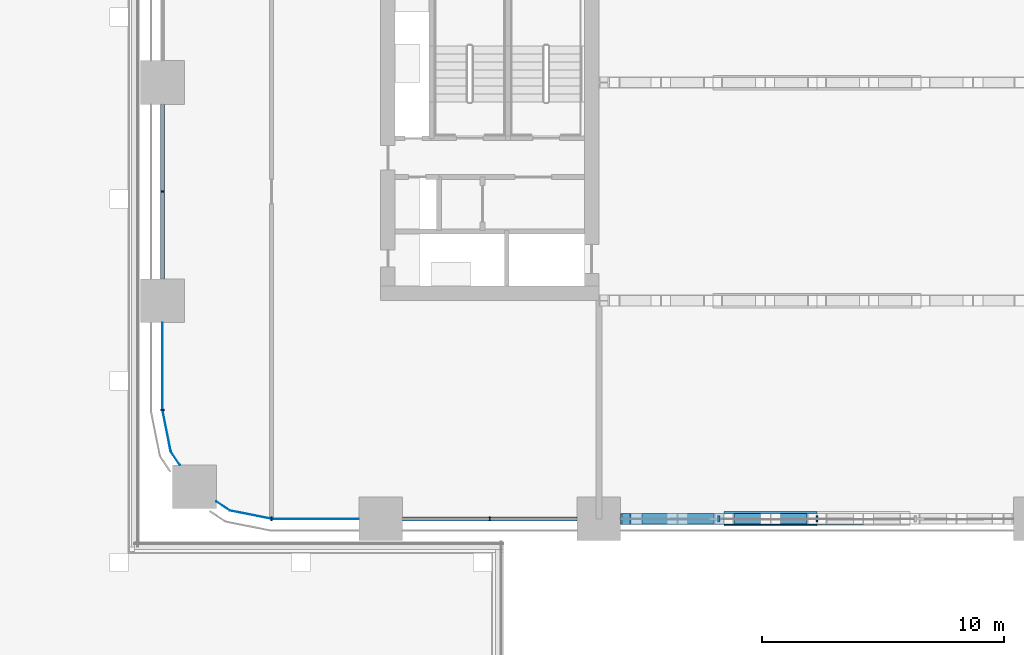
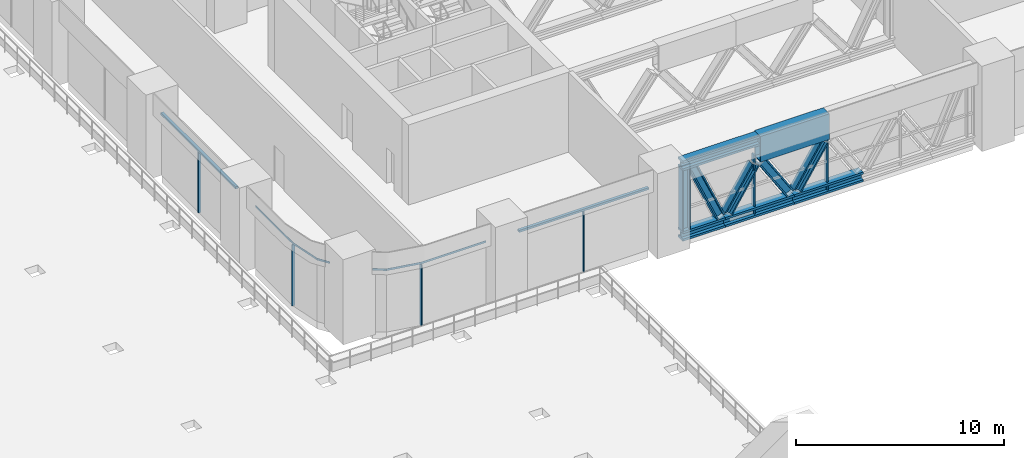
# One storey, part 2 of 35: 20 members, 5 elements without a shape of their own.
"""IFC4 building model written with IfcOpenShell, lengths in metres."""

from ifc_helpers import new_model, si_unit, direction, frame, origin, origin_2d, place, context, subcontext, project, spatial, polyline, rectangle, hollow_rectangle, i_section, outline, extrude, material, material_profile, profile_set, type_object, element, aggregate, save


model = new_model("IFC4")

# Units and contexts
model_context = context("Model", 3, precision=1e-05, world=origin(), true_north=direction((0.0, 1.0)))
body_context = subcontext(model_context, "Body", "Model", "MODEL_VIEW")
ifc_project = project(units=[si_unit("LENGTHUNIT", "METRE"), si_unit("AREAUNIT", "SQUARE_METRE"), si_unit("VOLUMEUNIT", "CUBIC_METRE"), si_unit("PLANEANGLEUNIT", "RADIAN"), si_unit("MASSUNIT", "GRAM", prefix="KILO")], contexts=[model_context])

# Site, building, storey
site_placement = place(None, origin())
site = spatial("IfcSite", under=ifc_project, at=site_placement, CompositionType="ELEMENT")
building_placement = place(site_placement, origin())
building = spatial("IfcBuilding", under=site, at=building_placement, Name="Tessera Arch", CompositionType="ELEMENT")
storey_placement = place(building_placement, frame((0.0, 0.0, 26.0)))
storey = spatial("IfcBuildingStorey", under=building, at=storey_placement, Name="L04", CompositionType="ELEMENT", Elevation=26.0)

# Curtain wall, members
ifc_material_1 = material(Name="CW4 curtain wall")
curtain_wall_type_1 = type_object("IfcCurtainWallType", Name="CW4 curtain wall", PredefinedType="NOTDEFINED", material=ifc_material_1)
curtain_wall_1_placement = place(storey_placement, origin())
curtain_wall_1 = element("IfcCurtainWall", 1, at=curtain_wall_1_placement, inside=storey, type_object=curtain_wall_type_1, Name="CW4 curtain wall S0.0/1 L04", PredefinedType="NOTDEFINED")
ifc_material_2 = material(Name="Anodised aluminium pale metal", Category="aluminium")
ifc_material_profile_1 = material_profile(ifc_material_2, rectangle(XDim=0.25, YDim=0.080078125, at=origin_2d()), Name="AL 80x250")
ifc_profile_set_1 = profile_set([ifc_material_profile_1], Name="Anodised aluminium pale metal")
member_type_1 = type_object("IfcMemberType", Name="CW4 mullion", PredefinedType="MULLION", material=ifc_profile_set_1)
member_1_placement = place(storey_placement, frame((22.949951171875, 0.0, 0.0), z_axis=(0.0, 0.0, 1.0), x_axis=(0.0, 1.0, 0.0)))
member_1 = element("IfcMember", 2, at=member_1_placement, type_object=member_type_1, Name="CW4 mullion S0.0/1 1", PredefinedType="MULLION", context=body_context, shape_type="SweptSolid", body=[
    extrude(rectangle(XDim=0.25, YDim=0.080078125, at=origin_2d()), origin(), (0.0, 0.0, 1.0), 3.580078125),
])
member_2_placement = place(storey_placement, frame((27.0, 0.0, 0.0), z_axis=(0.0, 0.0, 1.0), x_axis=(0.0, 1.0, 0.0)))
member_2 = element("IfcMember", 3, at=member_2_placement, type_object=member_type_1, Name="CW4 mullion S0.0/1 2", PredefinedType="MULLION", context=body_context, shape_type="SweptSolid", body=[
    extrude(rectangle(XDim=0.25, YDim=0.080078125, at=origin_2d()), origin(), (0.0, 0.0, 1.0), 3.580078125),
])
aggregate(curtain_wall_1, [member_1, member_2])

# Curtain wall, member
ifc_material_3 = material(Name="CW7 curtain wall")
curtain_wall_type_2 = type_object("IfcCurtainWallType", Name="CW7 curtain wall", PredefinedType="NOTDEFINED", material=ifc_material_3)
curtain_wall_2_placement = place(storey_placement, origin())
curtain_wall_2 = element("IfcCurtainWall", 4, at=curtain_wall_2_placement, inside=storey, type_object=curtain_wall_type_2, Name="CW7 curtain wall S0.0/0 L04", PredefinedType="NOTDEFINED")
ifc_material_4 = material(Name="Anodised aluminium pale metal", Category="aluminium")
ifc_material_profile_2 = material_profile(ifc_material_4, rectangle(XDim=0.159912109375, YDim=0.06005859375, at=origin_2d()), Name="AL 60x160")
ifc_profile_set_2 = profile_set([ifc_material_profile_2], Name="Anodised aluminium pale metal")
member_type_2 = type_object("IfcMemberType", Name="CW7 mullion", PredefinedType="MULLION", material=ifc_profile_set_2)
member_3_placement = place(storey_placement, frame((13.5, 0.0, 0.0), z_axis=(0.0, 0.0, 1.0), x_axis=(0.0, 1.0, 0.0)))
member_3 = element("IfcMember", 5, at=member_3_placement, type_object=member_type_2, Name="CW7 mullion S0.0/0 1", PredefinedType="MULLION", context=body_context, shape_type="SweptSolid", body=[
    extrude(rectangle(XDim=0.159912109375, YDim=0.06005859375, at=origin_2d()), origin(), (0.0, 0.0, 1.0), 3.580078125),
])

curtain_wall_3_placement = place(storey_placement, origin())
curtain_wall_3 = element("IfcCurtainWall", 6, at=curtain_wall_3_placement, inside=storey, type_object=curtain_wall_type_2, Name="CW7 curtain wall W0.0/4 L04", PredefinedType="NOTDEFINED")
member_4_placement = place(storey_placement, frame((0.0, 13.5, 0.0), z_axis=(0.0, 0.0, 1.0), x_axis=(1.0, 0.0, 0.0)))
member_4 = element("IfcMember", 7, at=member_4_placement, type_object=member_type_2, Name="CW7 mullion W0.0/4 1", PredefinedType="MULLION", context=body_context, shape_type="SweptSolid", body=[
    extrude(rectangle(XDim=0.159912109375, YDim=0.06005859375, at=origin_2d()), origin(), (0.0, 0.0, 1.0), 3.580078125),
])

curtain_wall_4_placement = place(storey_placement, origin())
curtain_wall_4 = element("IfcCurtainWall", 8, at=curtain_wall_4_placement, inside=storey, type_object=curtain_wall_type_2, Name="CW7 curtain wall W0.0/5 L04", PredefinedType="NOTDEFINED")
member_5_placement = place(storey_placement, frame((0.0, 4.5, 0.0), z_axis=(0.0, 0.0, 1.0), x_axis=(1.0, 0.0, 0.0)))
member_5 = element("IfcMember", 9, at=member_5_placement, type_object=member_type_2, Name="CW7 mullion W0.0/5 1", PredefinedType="MULLION", context=body_context, shape_type="SweptSolid", body=[
    extrude(rectangle(XDim=0.159912109375, YDim=0.06005859375, at=origin_2d()), origin(), (0.0, 0.0, 1.0), 3.580078125),
])

curtain_wall_5_placement = place(storey_placement, origin())
curtain_wall_5 = element("IfcCurtainWall", 10, at=curtain_wall_5_placement, inside=storey, type_object=curtain_wall_type_2, Name="CW7 curtain wall S0.0/4 L04", PredefinedType="NOTDEFINED")
member_6_placement = place(storey_placement, frame((4.5, 0.0, 0.0), z_axis=(0.0, 0.0, 1.0), x_axis=(0.0, 1.0, 0.0)))
member_6 = element("IfcMember", 11, at=member_6_placement, type_object=member_type_2, Name="CW7 mullion S0.0/4 1", PredefinedType="MULLION", context=body_context, shape_type="SweptSolid", body=[
    extrude(rectangle(XDim=0.159912109375, YDim=0.06005859375, at=origin_2d()), origin(), (0.0, 0.0, 1.0), 3.580078125),
])

# Member
ifc_material_5 = material(Name="Anodised aluminium pale metal", Category="aluminium")
ifc_material_profile_3 = material_profile(ifc_material_5, rectangle(XDim=0.159912109375, YDim=0.1201171875, at=origin_2d()), Name="AL 160x120")
ifc_profile_set_3 = profile_set([ifc_material_profile_3], Name="Anodised aluminium pale metal")
member_type_3 = type_object("IfcMemberType", Name="CW7 transom", PredefinedType="USERDEFINED", material=ifc_profile_set_3)
member_7_placement = place(storey_placement, frame((9.89990234375, 0.0, 3.639892578125), z_axis=(1.0, 0.0, 0.0), x_axis=(0.0, 1.0, 0.0)))
member_7 = element("IfcMember", 12, at=member_7_placement, type_object=member_type_3, Name="CW7 transom S0.0/0 1.1", ObjectType="TRANSOM", PredefinedType="USERDEFINED", context=body_context, shape_type="SweptSolid", body=[
    extrude(rectangle(XDim=0.159912109375, YDim=0.1201171875, at=origin_2d()), origin(), (0.0, 0.0, 1.0), 7.2001953125),
])

aggregate(curtain_wall_2, [member_3, member_7])

member_8_placement = place(storey_placement, frame((0.0, 17.10009765625, 3.639892578125), z_axis=(0.0, -1.0, 0.0), x_axis=(1.0, 0.0, 0.0)))
member_8 = element("IfcMember", 13, at=member_8_placement, type_object=member_type_3, Name="CW7 transom W0.0/4 1.1", ObjectType="TRANSOM", PredefinedType="USERDEFINED", context=body_context, shape_type="SweptSolid", body=[
    extrude(rectangle(XDim=0.159912109375, YDim=0.1201171875, at=origin_2d()), origin(), (0.0, 0.0, 1.0), 7.2001953125),
])

aggregate(curtain_wall_3, [member_4, member_8])

member_9_placement = place(storey_placement, frame((0.0, 0.0, 3.580078125)))
member_9 = element("IfcMember", 14, at=member_9_placement, type_object=member_type_3, Name="CW7 transom W0.0/5 1", ObjectType="TRANSOM", PredefinedType="USERDEFINED", context=body_context, shape_type="SweptSolid", body=[
    extrude(outline(polyline([(0.010009765625, 4.5009765625), (0.010009765625, 8.10009765625), (-0.010009765625, 8.10009765625), (-0.010009765625, 4.4990234375), (0.3330078125, 2.77392578125), (0.70849609375, 2.21240234375), (0.72509765625, 2.2236328125), (0.351806640625, 2.78173828125), (0.010009765625, 4.5009765625)])), origin(), (0.0, 0.0, 1.0), 0.119873046875),
])

aggregate(curtain_wall_4, [member_5, member_9])

member_10_placement = place(storey_placement, frame((0.0, 0.0, 3.580078125)))
member_10 = element("IfcMember", 15, at=member_10_placement, type_object=member_type_3, Name="CW7 transom S0.0/4 1", ObjectType="TRANSOM", PredefinedType="USERDEFINED", context=body_context, shape_type="SweptSolid", body=[
    extrude(outline(polyline([(2.78173828125, 0.351806640625), (2.2236328125, 0.72509765625), (2.21240234375, 0.70849609375), (2.77392578125, 0.3330078125), (4.4990234375, -0.010009765625), (8.10009765625, -0.010009765625), (8.10009765625, 0.010009765625), (4.5009765625, 0.010009765625), (2.78173828125, 0.351806640625)])), origin(), (0.0, 0.0, 1.0), 0.119873046875),
])

aggregate(curtain_wall_5, [member_6, member_10])

# Members
ifc_material_6 = material(Name="Steel A572 Gr50", Category="steel")
ifc_material_profile_4 = material_profile(ifc_material_6, hollow_rectangle(XDim=0.60009765625, YDim=1.5, WallThickness=0.06005859375, at=origin_2d()), Name="BOX 600x1500x60")
ifc_profile_set_4 = profile_set([ifc_material_profile_4], Name="Steel A572 Gr50")
member_type_4 = type_object("IfcMemberType", Name="Transfer truss node girder BOX 600x1500x60", PredefinedType="CHORD", material=ifc_profile_set_4)
member_11_placement = place(storey_placement, frame((23.167236328125, 0.0, 3.949951171875), z_axis=(1.0, 0.0, 0.0), x_axis=(0.0, 1.0, 0.0)))
element("IfcMember", 16, at=member_11_placement, inside=storey, type_object=member_type_4, Name="Transfer truss node girder 2", PredefinedType="CHORD", context=body_context, shape_type="SweptSolid", body=[
    extrude(hollow_rectangle(XDim=0.60009765625, YDim=1.5, WallThickness=0.06005859375, at=origin_2d()), origin(), (0.0, 0.0, 1.0), 3.832763671875),
])
ifc_material_7 = material(Name="Steel A992 Gr50", Category="steel")
ifc_material_profile_5 = material_profile(ifc_material_7, i_section(OverallWidth=0.45458984375, OverallDepth=0.56884765625, WebThickness=0.077880859375, FlangeThickness=0.124755859375, at=origin_2d()), Name="W14x730")
ifc_profile_set_5 = profile_set([ifc_material_profile_5], Name="Steel A992 Gr50")
member_type_5 = type_object("IfcMemberType", Name="Truss chord W14x730", PredefinedType="CHORD", material=ifc_profile_set_5)
member_12_placement = place(storey_placement, frame((18.900146484375, 0.0, 4.41552734375), z_axis=(1.0, 0.0, 0.0), x_axis=(0.0, 1.0, 0.0)))
element("IfcMember", 17, at=member_12_placement, inside=storey, type_object=member_type_5, Name="Transfer truss top chord 1", PredefinedType="CHORD", context=body_context, shape_type="SweptSolid", body=[
    extrude(i_section(OverallWidth=0.45458984375, OverallDepth=0.56884765625, WebThickness=0.077880859375, FlangeThickness=0.124755859375, at=origin_2d()), origin(), (0.0, 0.0, 1.0), 4.26708984375),
])
member_13_placement = place(storey_placement, frame((18.900146484375, 0.0, 0.284423828125), z_axis=(1.0, 0.0, 0.0), x_axis=(0.0, 1.0, 0.0)))
element("IfcMember", 18, at=member_13_placement, inside=storey, type_object=member_type_5, Name="Transfer truss bottom chord 1", PredefinedType="CHORD", context=body_context, shape_type="SweptSolid", body=[
    extrude(i_section(OverallWidth=0.45458984375, OverallDepth=0.56884765625, WebThickness=0.077880859375, FlangeThickness=0.124755859375, at=origin_2d()), origin(), (0.0, 0.0, 1.0), 2.3505859375),
])
member_14_placement = place(storey_placement, frame((21.250732421875, 0.0, 0.284423828125), z_axis=(1.0, 0.0, 0.0), x_axis=(0.0, 1.0, 0.0)))
element("IfcMember", 19, at=member_14_placement, inside=storey, type_object=member_type_5, Name="Transfer truss bottom chord 2", PredefinedType="CHORD", context=body_context, shape_type="SweptSolid", body=[
    extrude(i_section(OverallWidth=0.45458984375, OverallDepth=0.56884765625, WebThickness=0.077880859375, FlangeThickness=0.124755859375, at=origin_2d()), origin(), (0.0, 0.0, 1.0), 3.832763671875),
])
member_15_placement = place(storey_placement, frame((25.08349609375, 0.0, 0.284423828125), z_axis=(1.0, 0.0, 0.0), x_axis=(0.0, 1.0, 0.0)))
element("IfcMember", 20, at=member_15_placement, inside=storey, type_object=member_type_5, Name="Transfer truss bottom chord 3", PredefinedType="CHORD", context=body_context, shape_type="SweptSolid", body=[
    extrude(i_section(OverallWidth=0.45458984375, OverallDepth=0.56884765625, WebThickness=0.077880859375, FlangeThickness=0.124755859375, at=origin_2d()), origin(), (0.0, 0.0, 1.0), 3.8330078125),
])
ifc_material_8 = material(Name="Steel A992 Gr50", Category="steel")
ifc_material_profile_6 = material_profile(ifc_material_8, i_section(OverallWidth=0.424072265625, OverallDepth=0.47412109375, WebThickness=0.047607421875, FlangeThickness=0.0771484375, at=origin_2d()), Name="W14x426")
ifc_profile_set_6 = profile_set([ifc_material_profile_6], Name="Steel A992 Gr50")
member_type_6 = type_object("IfcMemberType", Name="Truss diagonal W14x426", PredefinedType="BRACE", material=ifc_profile_set_6)
member_16_placement = place(storey_placement, frame((19.558837890625, 0.0, 4.01904296875), z_axis=(0.402507504904, 0.0, -0.915416685721), x_axis=(0.0, 1.0, 0.0)))
element("IfcMember", 21, at=member_16_placement, inside=storey, type_object=member_type_6, Name="Transfer truss diagonal 1", PredefinedType="BRACE", context=body_context, shape_type="SweptSolid", body=[
    extrude(i_section(OverallWidth=0.424072265625, OverallDepth=0.47412109375, WebThickness=0.047607421875, FlangeThickness=0.0771484375, at=origin_2d()), origin(), (0.0, 0.0, 1.0), 3.646484375),
])
for number, where, z_axis, x_axis, name in (
    (22, (21.46044921875, 0.0, 0.711669921875), (0.538089832254, 0.0, 0.842887496897), (0.0, 1.0, 0.0), "Transfer truss diagonal 2"),
    (23, (23.376708984375, 0.0, 3.05712890625), (0.538089832254, 0.0, -0.842887496897), (0.0, 1.0, 0.0), "Transfer truss diagonal 3"),
    (24, (25.293212890625, 0.0, 0.711669921875), (0.538089832254, 0.0, 0.842887496897), (0.0, 1.0, 0.0), "Transfer truss diagonal 4"),
):
    element("IfcMember", number, at=place(storey_placement, frame(where, z_axis=z_axis, x_axis=x_axis)), inside=storey, type_object=member_type_6, Name=name, PredefinedType="BRACE", context=body_context, shape_type="SweptSolid", body=[
        extrude(i_section(OverallWidth=0.424072265625, OverallDepth=0.47412109375, WebThickness=0.047607421875, FlangeThickness=0.0771484375, at=origin_2d()), origin(), (0.0, 0.0, 1.0), 2.78271484375),
    ])
ifc_material_9 = material(Name="Steel A992 Gr50", Category="steel")
ifc_material_profile_7 = material_profile(ifc_material_9, i_section(OverallWidth=0.411376953125, OverallDepth=0.434326171875, WebThickness=0.035888671875, FlangeThickness=0.057373046875, at=origin_2d()), Name="W14x311")
ifc_profile_set_7 = profile_set([ifc_material_profile_7], Name="Steel A992 Gr50")
member_type_7 = type_object("IfcMemberType", Name="Truss post W14x311", PredefinedType="POST", material=ifc_profile_set_7)
member_17_placement = place(storey_placement, frame((19.1171875, 0.0, 0.56884765625), z_axis=(0.0, 0.0, 1.0), x_axis=(0.0, 1.0, 0.0)))
element("IfcMember", 25, at=member_17_placement, inside=storey, type_object=member_type_7, Name="Transfer truss end post 1", PredefinedType="POST", context=body_context, shape_type="SweptSolid", body=[
    extrude(i_section(OverallWidth=0.411376953125, OverallDepth=0.434326171875, WebThickness=0.035888671875, FlangeThickness=0.057373046875, at=origin_2d()), origin(), (0.0, 0.0, 1.0), 3.562255859375),
])

save(model, "model.ifc")
